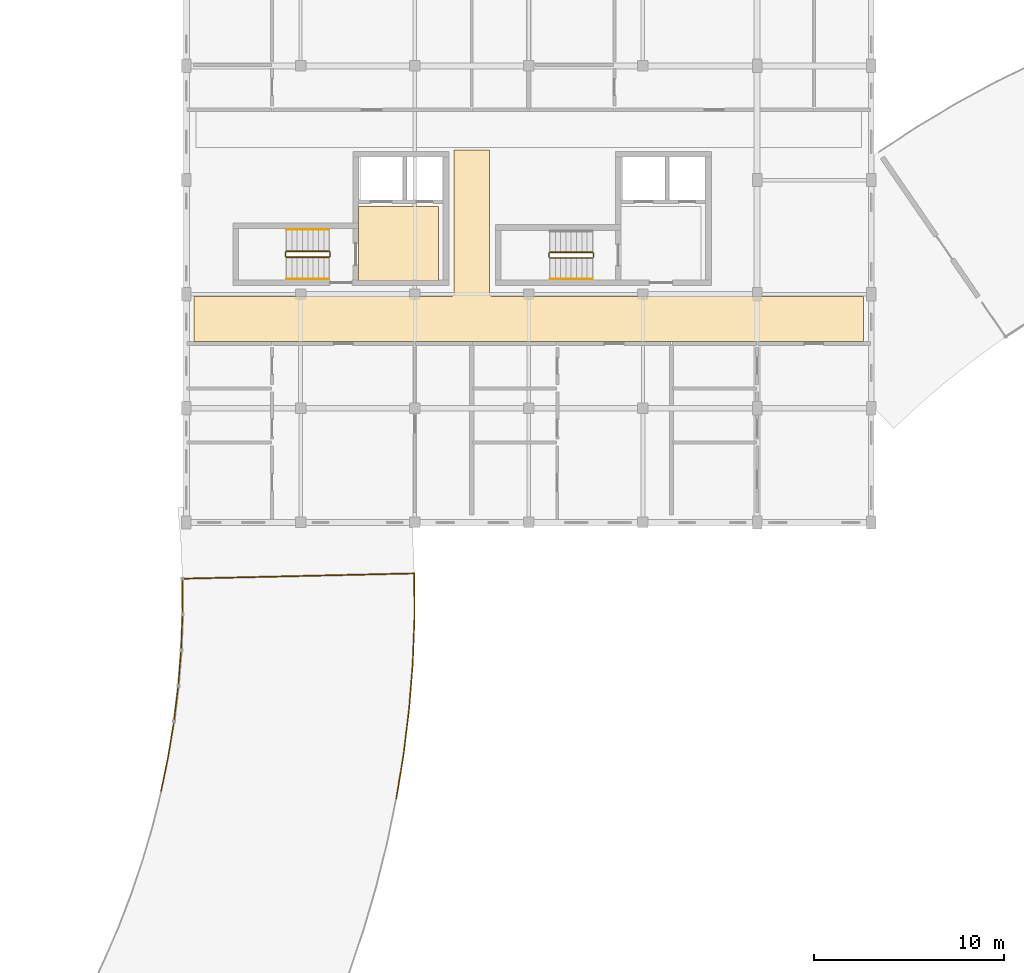
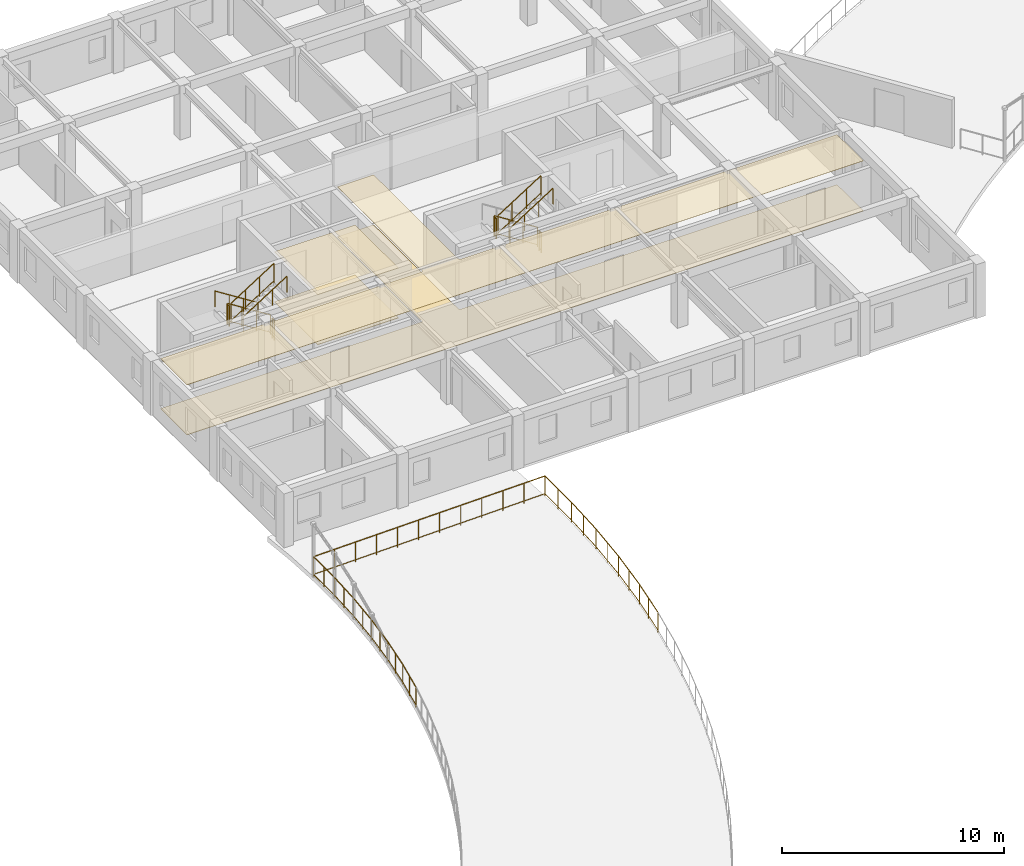
# One storey, part 54 of 58: 23 railings, 4 coverings.
"""IFC4 building model written with IfcOpenShell, lengths in metres."""

from ifc_helpers import new_model, si_unit, direction, frame, origin, origin_2d, place, context, subcontext, project, spatial, polyline, circle, outline, extrude, material, layer, layer_set, type_object, element, save


model = new_model("IFC4")

# Units and contexts
model_context = context("Model", 3, precision=1e-05, world=origin(), true_north=direction((0.0, 1.0)))
body_context = subcontext(model_context, "Body", "Model", "MODEL_VIEW")
ifc_project = project(units=[si_unit("LENGTHUNIT", "METRE"), si_unit("AREAUNIT", "SQUARE_METRE"), si_unit("VOLUMEUNIT", "CUBIC_METRE"), si_unit("PLANEANGLEUNIT", "RADIAN"), si_unit("MASSUNIT", "GRAM", prefix="KILO"), si_unit("POWERUNIT", "WATT"), si_unit("THERMODYNAMICTEMPERATUREUNIT", "KELVIN")], contexts=[model_context])

# Site, building, storey
site_placement = place(None, origin())
site = spatial("IfcSite", under=ifc_project, at=site_placement, CompositionType="ELEMENT")
building_placement = place(site_placement, origin())
building = spatial("IfcBuilding", under=site, at=building_placement, Name="Ruvembo Vaulted Housing Court", CompositionType="ELEMENT")
storey_placement = place(building_placement, frame((0.0, 0.0, 20.5)))
storey = spatial("IfcBuildingStorey", under=building, at=storey_placement, Name="L06", CompositionType="ELEMENT", Elevation=20.5)

# Coverings
ifc_material_1 = material(Name="Perforated Mineral-Fibre Acoustic Tile", Category="gypsum")
ifc_layer_1 = layer(ifc_material_1, 0.02001953125, Name="Perforated Mineral-Fibre Acoustic Tile")
ifc_layer_set_1 = layer_set([ifc_layer_1], Name="Perforated Mineral-Fibre Acoustic Tile")
covering_type_1 = type_object("IfcCoveringType", Name="COV-CEIL-ACOUST", PredefinedType="CEILING", material=ifc_layer_set_1)
covering_1_placement = place(storey_placement, frame((0.0, 0.0, 2.75)))
element("IfcCovering", 1, at=covering_1_placement, inside=storey, type_object=covering_type_1, Name="Protected Core Lobby B1 Ceiling", PredefinedType="CEILING", context=body_context, shape_type="SweptSolid", body=[
    extrude(outline(polyline([(61.25, 94.60009765625), (57.050048828125, 94.60009765625), (57.050048828125, 90.699951171875), (61.25, 90.699951171875), (61.25, 94.60009765625)])), origin(), (0.0, 0.0, 1.0), 0.02001953125),
])
covering_2_placement = place(storey_placement, frame((0.0, 0.0, 2.75)))
element("IfcCovering", 2, at=covering_2_placement, inside=storey, type_object=covering_type_1, Name="Block B L06 Corridor Ceiling", PredefinedType="CEILING", context=body_context, shape_type="SweptSolid", body=[
    extrude(outline(polyline([(83.590087890625, 87.510009765625), (83.590087890625, 89.889892578125), (64.050048828125, 89.889892578125), (64.039306640625, 89.890380859375), (64.028564453125, 89.89208984375), (64.01806640625, 89.894775390625), (64.0078125, 89.8984375), (63.998046875, 89.903076171875), (63.989013671875, 89.908447265625), (63.980224609375, 89.9150390625), (63.97216796875, 89.922119140625), (63.965087890625, 89.93017578125), (63.95849609375, 89.93896484375), (63.952880859375, 89.947998046875), (63.948486328125, 89.9580078125), (63.944580078125, 89.968017578125), (63.942138671875, 89.978515625), (63.9404296875, 89.9892578125), (63.93994140625, 90.0), (63.93994140625, 97.590087890625), (62.06005859375, 97.590087890625), (62.06005859375, 90.0), (62.0595703125, 89.9892578125), (62.057861328125, 89.978515625), (62.055419921875, 89.968017578125), (62.051513671875, 89.9580078125), (62.047119140625, 89.947998046875), (62.04150390625, 89.93896484375), (62.034912109375, 89.93017578125), (62.02783203125, 89.922119140625), (62.019775390625, 89.9150390625), (62.010986328125, 89.908447265625), (62.001953125, 89.903076171875), (61.9921875, 89.8984375), (61.98193359375, 89.894775390625), (61.971435546875, 89.89208984375), (61.960693359375, 89.890380859375), (61.949951171875, 89.889892578125), (48.409912109375, 89.889892578125), (48.409912109375, 87.510009765625), (83.590087890625, 87.510009765625)])), origin(), (0.0, 0.0, 1.0), 0.02001953125),
])
ifc_material_2 = material(Name="Polished Cement-Aggregate Terrazzo", Category="stone")
ifc_layer_2 = layer(ifc_material_2, 0.02197265625, Name="Polished Cement-Aggregate Terrazzo")
ifc_layer_set_2 = layer_set([ifc_layer_2], Name="Polished Cement-Aggregate Terrazzo")
covering_type_2 = type_object("IfcCoveringType", Name="COV-FLR-CERAMIC", PredefinedType="FLOORING", material=ifc_layer_set_2)
covering_3_placement = place(storey_placement, origin())
element("IfcCovering", 3, at=covering_3_placement, inside=storey, type_object=covering_type_2, Name="Protected Core Lobby B1 Flooring", PredefinedType="FLOORING", context=body_context, shape_type="SweptSolid", body=[
    extrude(outline(polyline([(61.25, 94.60009765625), (57.050048828125, 94.60009765625), (57.050048828125, 90.699951171875), (61.25, 90.699951171875), (61.25, 94.60009765625)])), origin(), (0.0, 0.0, 1.0), 0.02197265625),
])
covering_4_placement = place(storey_placement, origin())
element("IfcCovering", 4, at=covering_4_placement, inside=storey, type_object=covering_type_2, Name="Block B L06 Corridor Flooring", PredefinedType="FLOORING", context=body_context, shape_type="SweptSolid", body=[
    extrude(outline(polyline([(83.590087890625, 87.510009765625), (83.590087890625, 89.889892578125), (64.050048828125, 89.889892578125), (64.039306640625, 89.890380859375), (64.028564453125, 89.89208984375), (64.01806640625, 89.894775390625), (64.0078125, 89.8984375), (63.998046875, 89.903076171875), (63.989013671875, 89.908447265625), (63.980224609375, 89.9150390625), (63.97216796875, 89.922119140625), (63.965087890625, 89.93017578125), (63.95849609375, 89.93896484375), (63.952880859375, 89.947998046875), (63.948486328125, 89.9580078125), (63.944580078125, 89.968017578125), (63.942138671875, 89.978515625), (63.9404296875, 89.9892578125), (63.93994140625, 90.0), (63.93994140625, 97.590087890625), (62.06005859375, 97.590087890625), (62.06005859375, 90.0), (62.0595703125, 89.9892578125), (62.057861328125, 89.978515625), (62.055419921875, 89.968017578125), (62.051513671875, 89.9580078125), (62.047119140625, 89.947998046875), (62.04150390625, 89.93896484375), (62.034912109375, 89.93017578125), (62.02783203125, 89.922119140625), (62.019775390625, 89.9150390625), (62.010986328125, 89.908447265625), (62.001953125, 89.903076171875), (61.9921875, 89.8984375), (61.98193359375, 89.894775390625), (61.971435546875, 89.89208984375), (61.960693359375, 89.890380859375), (61.949951171875, 89.889892578125), (48.409912109375, 89.889892578125), (48.409912109375, 87.510009765625), (83.590087890625, 87.510009765625)])), origin(), (0.0, 0.0, 1.0), 0.02197265625),
])

# Railings
ifc_material_3 = material(Name="Galvanised Painted Steel and Laminated Glass", Category="steel")
ifc_layer_3 = layer(ifc_material_3, 0.070068359375, Name="Galvanised Painted Steel and Laminated Glass")
ifc_layer_set_3 = layer_set([ifc_layer_3], Name="Galvanised Painted Steel and Laminated Glass")
railing_type_1 = type_object("IfcRailingType", Name="RL-BALUST-1120", PredefinedType="BALUSTRADE", material=ifc_layer_set_3)
railing_1_placement = place(storey_placement, frame((46.664794921875, 63.86669921875, 0.0)))
element("IfcRailing", 5, at=railing_1_placement, inside=storey, type_object=railing_type_1, Name="L06 Perimeter Guard RL-EXT-L06-0210", PredefinedType="BALUSTRADE", context=body_context, shape_type="SweptSolid", body=[
    extrude(circle(Radius=0.02392578125, at=origin_2d()), frame((0.0, 0.0, 1.09619140625), z_axis=(0.20126745828, 0.979536324103, 0.0), x_axis=(-0.979536324103, 0.20126745828, 0.0)), (0.0, 0.0, 1.0), 1.87646484375),
    extrude(circle(Radius=0.01806640625, at=origin_2d()), frame((0.0, 0.0, 0.1201171875), z_axis=(0.20126745828, 0.979536324103, 0.0), x_axis=(-0.979536324103, 0.20126745828, 0.0)), (0.0, 0.0, 1.0), 1.87646484375),
    extrude(circle(Radius=0.02099609375, at=origin_2d()), origin(), (0.0, 0.0, 1.0), 1.072021484375),
    extrude(circle(Radius=0.02099609375, at=origin_2d()), frame((0.18896484375, 0.9189453125, 0.0)), (0.0, 0.0, 1.0), 1.072021484375),
    extrude(circle(Radius=0.02099609375, at=origin_2d()), frame((0.377685546875, 1.838134765625, 0.0)), (0.0, 0.0, 1.0), 1.072021484375),
])
railing_2_placement = place(storey_placement, frame((47.04248046875, 65.704833984375, 0.0)))
element("IfcRailing", 6, at=railing_2_placement, inside=storey, type_object=railing_type_1, Name="L06 Perimeter Guard RL-EXT-L06-0211", PredefinedType="BALUSTRADE", context=body_context, shape_type="SweptSolid", body=[
    extrude(circle(Radius=0.02392578125, at=origin_2d()), frame((0.0, 0.0, 1.09619140625), z_axis=(0.16093792822, 0.98696452989, 0.0), x_axis=(-0.98696452989, 0.16093792822, 0.0)), (0.0, 0.0, 1.0), 1.87646484375),
    extrude(circle(Radius=0.01806640625, at=origin_2d()), frame((0.0, 0.0, 0.1201171875), z_axis=(0.16093792822, 0.98696452989, 0.0), x_axis=(-0.98696452989, 0.16093792822, 0.0)), (0.0, 0.0, 1.0), 1.87646484375),
    extrude(circle(Radius=0.02099609375, at=origin_2d()), origin(), (0.0, 0.0, 1.0), 1.072021484375),
    extrude(circle(Radius=0.02099609375, at=origin_2d()), frame((0.15087890625, 0.926025390625, 0.0)), (0.0, 0.0, 1.0), 1.072021484375),
    extrude(circle(Radius=0.02099609375, at=origin_2d()), frame((0.302001953125, 1.85205078125, 0.0)), (0.0, 0.0, 1.0), 1.072021484375),
])
railing_3_placement = place(storey_placement, frame((47.344482421875, 67.556884765625, 0.0)))
element("IfcRailing", 7, at=railing_3_placement, inside=storey, type_object=railing_type_1, Name="L06 Perimeter Guard RL-EXT-L06-0212", PredefinedType="BALUSTRADE", context=body_context, shape_type="SweptSolid", body=[
    extrude(circle(Radius=0.02392578125, at=origin_2d()), frame((0.0, 0.0, 1.09619140625), z_axis=(0.120335252624, 0.992733311104, 0.0), x_axis=(-0.992733311104, 0.120335252624, 0.0)), (0.0, 0.0, 1.0), 1.876708984375),
    extrude(circle(Radius=0.01806640625, at=origin_2d()), frame((0.0, 0.0, 0.1201171875), z_axis=(0.120335252624, 0.992733311104, 0.0), x_axis=(-0.992733311104, 0.120335252624, 0.0)), (0.0, 0.0, 1.0), 1.876708984375),
    extrude(circle(Radius=0.02099609375, at=origin_2d()), origin(), (0.0, 0.0, 1.0), 1.072021484375),
    extrude(circle(Radius=0.02099609375, at=origin_2d()), frame((0.11279296875, 0.931640625, 0.0)), (0.0, 0.0, 1.0), 1.072021484375),
    extrude(circle(Radius=0.02099609375, at=origin_2d()), frame((0.225830078125, 1.863037109375, 0.0)), (0.0, 0.0, 1.0), 1.072021484375),
])
railing_4_placement = place(storey_placement, frame((47.5703125, 69.419921875, 0.0)))
element("IfcRailing", 8, at=railing_4_placement, inside=storey, type_object=railing_type_1, Name="L06 Perimeter Guard RL-EXT-L06-0213", PredefinedType="BALUSTRADE", context=body_context, shape_type="SweptSolid", body=[
    extrude(circle(Radius=0.02392578125, at=origin_2d()), frame((0.0, 0.0, 1.09619140625), z_axis=(0.079610795565, 0.996826023552, 0.0), x_axis=(-0.996826023552, 0.079610795565, 0.0)), (0.0, 0.0, 1.0), 1.876708984375),
    extrude(circle(Radius=0.01806640625, at=origin_2d()), frame((0.0, 0.0, 0.1201171875), z_axis=(0.079610795565, 0.996826023552, 0.0), x_axis=(-0.996826023552, 0.079610795565, 0.0)), (0.0, 0.0, 1.0), 1.876708984375),
    extrude(circle(Radius=0.02099609375, at=origin_2d()), origin(), (0.0, 0.0, 1.0), 1.072021484375),
    extrude(circle(Radius=0.02099609375, at=origin_2d()), frame((0.07470703125, 0.935546875, 0.0)), (0.0, 0.0, 1.0), 1.072021484375),
    extrude(circle(Radius=0.02099609375, at=origin_2d()), frame((0.1494140625, 1.870849609375, 0.0)), (0.0, 0.0, 1.0), 1.072021484375),
])
railing_5_placement = place(storey_placement, frame((47.7197265625, 71.290771484375, 0.0)))
element("IfcRailing", 9, at=railing_5_placement, inside=storey, type_object=railing_type_1, Name="L06 Perimeter Guard RL-EXT-L06-0214", PredefinedType="BALUSTRADE", context=body_context, shape_type="SweptSolid", body=[
    extrude(circle(Radius=0.02392578125, at=origin_2d()), frame((0.0, 0.0, 1.09619140625), z_axis=(0.038767865725, 0.999248243725, 0.0), x_axis=(-0.999248243725, 0.038767865725, 0.0)), (0.0, 0.0, 1.0), 1.876708984375),
    extrude(circle(Radius=0.01806640625, at=origin_2d()), frame((0.0, 0.0, 0.1201171875), z_axis=(0.038767865725, 0.999248243725, 0.0), x_axis=(-0.999248243725, 0.038767865725, 0.0)), (0.0, 0.0, 1.0), 1.876708984375),
    extrude(circle(Radius=0.02099609375, at=origin_2d()), origin(), (0.0, 0.0, 1.0), 1.072021484375),
    extrude(circle(Radius=0.02099609375, at=origin_2d()), frame((0.036376953125, 0.9375, 0.0)), (0.0, 0.0, 1.0), 1.072021484375),
    extrude(circle(Radius=0.02099609375, at=origin_2d()), frame((0.07275390625, 1.875244140625, 0.0)), (0.0, 0.0, 1.0), 1.072021484375),
])
railing_6_placement = place(storey_placement, frame((47.79248046875, 73.166015625, 0.0)))
element("IfcRailing", 10, at=railing_6_placement, inside=storey, type_object=railing_type_1, Name="L06 Perimeter Guard RL-EXT-L06-0215", PredefinedType="BALUSTRADE", context=body_context, shape_type="SweptSolid", body=[
    extrude(circle(Radius=0.02392578125, at=origin_2d()), frame((0.0, 0.0, 1.09619140625), z_axis=(-0.002341913952, 0.999997257716, 0.0), x_axis=(-0.999997257716, -0.002341913952, 0.0)), (0.0, 0.0, 1.0), 1.87646484375),
    extrude(circle(Radius=0.01806640625, at=origin_2d()), frame((0.0, 0.0, 0.1201171875), z_axis=(-0.002341913952, 0.999997257716, 0.0), x_axis=(-0.999997257716, -0.002341913952, 0.0)), (0.0, 0.0, 1.0), 1.87646484375),
    extrude(circle(Radius=0.02099609375, at=origin_2d()), origin(), (0.0, 0.0, 1.0), 1.072021484375),
    extrude(circle(Radius=0.02099609375, at=origin_2d()), frame((-0.002197265625, 0.938232421875, 0.0)), (0.0, 0.0, 1.0), 1.072021484375),
    extrude(circle(Radius=0.02099609375, at=origin_2d()), frame((-0.00439453125, 1.87646484375, 0.0)), (0.0, 0.0, 1.0), 1.072021484375),
])
railing_7_placement = place(storey_placement, frame((47.7880859375, 75.04248046875, 0.0)))
element("IfcRailing", 11, at=railing_7_placement, inside=storey, type_object=railing_type_1, Name="L06 Perimeter Guard RL-EXT-L06-0216", PredefinedType="BALUSTRADE", context=body_context, shape_type="SweptSolid", body=[
    extrude(circle(Radius=0.02392578125, at=origin_2d()), frame((0.0, 0.0, 1.09619140625), z_axis=(0.999740666818, 0.022772771249, 0.0), x_axis=(-0.022772771249, 0.999740666818, 0.0)), (0.0, 0.0, 1.0), 12.2001953125),
    extrude(circle(Radius=0.01806640625, at=origin_2d()), frame((0.0, 0.0, 0.1201171875), z_axis=(0.999740666818, 0.022772771249, 0.0), x_axis=(-0.022772771249, 0.999740666818, 0.0)), (0.0, 0.0, 1.0), 12.2001953125),
    extrude(circle(Radius=0.02099609375, at=origin_2d()), origin(), (0.0, 0.0, 1.0), 1.072021484375),
    extrude(circle(Radius=0.02099609375, at=origin_2d()), frame((1.10888671875, 0.025146484375, 0.0)), (0.0, 0.0, 1.0), 1.072021484375),
    extrude(circle(Radius=0.02099609375, at=origin_2d()), frame((2.217529296875, 0.050537109375, 0.0)), (0.0, 0.0, 1.0), 1.072021484375),
    extrude(circle(Radius=0.02099609375, at=origin_2d()), frame((3.326416015625, 0.07568359375, 0.0)), (0.0, 0.0, 1.0), 1.072021484375),
    extrude(circle(Radius=0.02099609375, at=origin_2d()), frame((4.435302734375, 0.10107421875, 0.0)), (0.0, 0.0, 1.0), 1.072021484375),
    extrude(circle(Radius=0.02099609375, at=origin_2d()), frame((5.544189453125, 0.126220703125, 0.0)), (0.0, 0.0, 1.0), 1.072021484375),
    extrude(circle(Radius=0.02099609375, at=origin_2d()), frame((6.65283203125, 0.151611328125, 0.0)), (0.0, 0.0, 1.0), 1.072021484375),
    extrude(circle(Radius=0.02099609375, at=origin_2d()), frame((7.76171875, 0.1767578125, 0.0)), (0.0, 0.0, 1.0), 1.072021484375),
    extrude(circle(Radius=0.02099609375, at=origin_2d()), frame((8.87060546875, 0.2021484375, 0.0)), (0.0, 0.0, 1.0), 1.072021484375),
    extrude(circle(Radius=0.02099609375, at=origin_2d()), frame((9.9794921875, 0.227294921875, 0.0)), (0.0, 0.0, 1.0), 1.072021484375),
    extrude(circle(Radius=0.02099609375, at=origin_2d()), frame((11.088134765625, 0.252685546875, 0.0)), (0.0, 0.0, 1.0), 1.072021484375),
    extrude(circle(Radius=0.02099609375, at=origin_2d()), frame((12.197021484375, 0.27783203125, 0.0)), (0.0, 0.0, 1.0), 1.072021484375),
])
railing_8_placement = place(storey_placement, frame((59.985107421875, 75.3203125, 0.0)))
element("IfcRailing", 12, at=railing_8_placement, inside=storey, type_object=railing_type_1, Name="L06 Perimeter Guard RL-EXT-L06-0217", PredefinedType="BALUSTRADE", context=body_context, shape_type="SweptSolid", body=[
    extrude(circle(Radius=0.02392578125, at=origin_2d()), frame((0.0, 0.0, 1.09619140625), z_axis=(0.002260113397, -0.99999744594, 0.0), x_axis=(0.99999744594, 0.002260113397, 0.0)), (0.0, 0.0, 1.0), 2.37646484375),
    extrude(circle(Radius=0.01806640625, at=origin_2d()), frame((0.0, 0.0, 0.1201171875), z_axis=(0.002260113397, -0.99999744594, 0.0), x_axis=(0.99999744594, 0.002260113397, 0.0)), (0.0, 0.0, 1.0), 2.37646484375),
    extrude(circle(Radius=0.02099609375, at=origin_2d()), origin(), (0.0, 0.0, 1.0), 1.072021484375),
    extrude(circle(Radius=0.02099609375, at=origin_2d()), frame((0.002685546875, -1.188232421875, 0.0)), (0.0, 0.0, 1.0), 1.072021484375),
    extrude(circle(Radius=0.02099609375, at=origin_2d()), frame((0.00537109375, -2.37646484375, 0.0)), (0.0, 0.0, 1.0), 1.072021484375),
])
railing_9_placement = place(storey_placement, frame((59.990478515625, 72.94384765625, 0.0)))
element("IfcRailing", 13, at=railing_9_placement, inside=storey, type_object=railing_type_1, Name="L06 Perimeter Guard RL-EXT-L06-0218", PredefinedType="BALUSTRADE", context=body_context, shape_type="SweptSolid", body=[
    extrude(circle(Radius=0.02392578125, at=origin_2d()), frame((0.0, 0.0, 1.09619140625), z_axis=(-0.038729017766, -0.999249750154, 0.0), x_axis=(0.999249750154, -0.038729017766, 0.0)), (0.0, 0.0, 1.0), 2.37646484375),
    extrude(circle(Radius=0.01806640625, at=origin_2d()), frame((0.0, 0.0, 0.1201171875), z_axis=(-0.038729017766, -0.999249750154, 0.0), x_axis=(0.999249750154, -0.038729017766, 0.0)), (0.0, 0.0, 1.0), 2.37646484375),
    extrude(circle(Radius=0.02099609375, at=origin_2d()), origin(), (0.0, 0.0, 1.0), 1.072021484375),
    extrude(circle(Radius=0.02099609375, at=origin_2d()), frame((-0.0458984375, -1.1875, 0.0)), (0.0, 0.0, 1.0), 1.072021484375),
    extrude(circle(Radius=0.02099609375, at=origin_2d()), frame((-0.092041015625, -2.374755859375, 0.0)), (0.0, 0.0, 1.0), 1.072021484375),
])
railing_10_placement = place(storey_placement, frame((59.8984375, 70.569091796875, 0.0)))
element("IfcRailing", 14, at=railing_10_placement, inside=storey, type_object=railing_type_1, Name="L06 Perimeter Guard RL-EXT-L06-0219", PredefinedType="BALUSTRADE", context=body_context, shape_type="SweptSolid", body=[
    extrude(circle(Radius=0.02392578125, at=origin_2d()), frame((0.0, 0.0, 1.09619140625), z_axis=(-0.079610489202, -0.996826048019, 0.0), x_axis=(0.996826048019, -0.079610489202, 0.0)), (0.0, 0.0, 1.0), 2.376708984375),
    extrude(circle(Radius=0.01806640625, at=origin_2d()), frame((0.0, 0.0, 0.1201171875), z_axis=(-0.079610489202, -0.996826048019, 0.0), x_axis=(0.996826048019, -0.079610489202, 0.0)), (0.0, 0.0, 1.0), 2.376708984375),
    extrude(circle(Radius=0.02099609375, at=origin_2d()), origin(), (0.0, 0.0, 1.0), 1.072021484375),
    extrude(circle(Radius=0.02099609375, at=origin_2d()), frame((-0.0947265625, -1.1845703125, 0.0)), (0.0, 0.0, 1.0), 1.072021484375),
    extrude(circle(Radius=0.02099609375, at=origin_2d()), frame((-0.189208984375, -2.369140625, 0.0)), (0.0, 0.0, 1.0), 1.072021484375),
])
railing_11_placement = place(storey_placement, frame((59.709228515625, 68.199951171875, 0.0)))
element("IfcRailing", 15, at=railing_11_placement, inside=storey, type_object=railing_type_1, Name="L06 Perimeter Guard RL-EXT-L06-0220", PredefinedType="BALUSTRADE", context=body_context, shape_type="SweptSolid", body=[
    extrude(circle(Radius=0.02392578125, at=origin_2d()), frame((0.0, 0.0, 1.09619140625), z_axis=(-0.12040500143, -0.99272485394, 0.0), x_axis=(0.99272485394, -0.12040500143, 0.0)), (0.0, 0.0, 1.0), 2.37646484375),
    extrude(circle(Radius=0.01806640625, at=origin_2d()), frame((0.0, 0.0, 0.1201171875), z_axis=(-0.12040500143, -0.99272485394, 0.0), x_axis=(0.99272485394, -0.12040500143, 0.0)), (0.0, 0.0, 1.0), 2.37646484375),
    extrude(circle(Radius=0.02099609375, at=origin_2d()), origin(), (0.0, 0.0, 1.0), 1.072021484375),
    extrude(circle(Radius=0.02099609375, at=origin_2d()), frame((-0.14306640625, -1.1796875, 0.0)), (0.0, 0.0, 1.0), 1.072021484375),
    extrude(circle(Radius=0.02099609375, at=origin_2d()), frame((-0.2861328125, -2.359130859375, 0.0)), (0.0, 0.0, 1.0), 1.072021484375),
])
railing_12_placement = place(storey_placement, frame((59.423095703125, 65.8408203125, 0.0)))
element("IfcRailing", 16, at=railing_12_placement, inside=storey, type_object=railing_type_1, Name="L06 Perimeter Guard RL-EXT-L06-0221", PredefinedType="BALUSTRADE", context=body_context, shape_type="SweptSolid", body=[
    extrude(circle(Radius=0.02392578125, at=origin_2d()), frame((0.0, 0.0, 1.09619140625), z_axis=(-0.160882746172, -0.986973526486, 0.0), x_axis=(0.986973526486, -0.160882746172, 0.0)), (0.0, 0.0, 1.0), 2.37646484375),
    extrude(circle(Radius=0.01806640625, at=origin_2d()), frame((0.0, 0.0, 0.1201171875), z_axis=(-0.160882746172, -0.986973526486, 0.0), x_axis=(0.986973526486, -0.160882746172, 0.0)), (0.0, 0.0, 1.0), 2.37646484375),
    extrude(circle(Radius=0.02099609375, at=origin_2d()), origin(), (0.0, 0.0, 1.0), 1.072021484375),
    extrude(circle(Radius=0.02099609375, at=origin_2d()), frame((-0.191162109375, -1.1728515625, 0.0)), (0.0, 0.0, 1.0), 1.072021484375),
    extrude(circle(Radius=0.02099609375, at=origin_2d()), frame((-0.38232421875, -2.345458984375, 0.0)), (0.0, 0.0, 1.0), 1.072021484375),
])
ifc_material_4 = material(Name="Painted Galvanised Steel S275", Category="steel")
ifc_layer_4 = layer(ifc_material_4, 0.06005859375, Name="Painted Galvanised Steel S275")
ifc_layer_set_4 = layer_set([ifc_layer_4], Name="Painted Galvanised Steel S275")
railing_type_2 = type_object("IfcRailingType", Name="RL-STAIR-GR1100", PredefinedType="GUARDRAIL", material=ifc_layer_set_4)
railing_13_placement = place(storey_placement, frame((55.5, 92.25, 0.177734375)))
element("IfcRailing", 17, at=railing_13_placement, inside=storey, type_object=railing_type_2, Name="L06 ST-B1 stair guard 1", PredefinedType="GUARDRAIL", context=body_context, shape_type="SweptSolid", body=[
    extrude(circle(Radius=0.02392578125, at=origin_2d()), frame((0.0, 0.0, 1.076171875), z_axis=(-0.84418770128, 0.0, 0.536047689118), x_axis=(0.0, -1.0, 0.0)), (0.0, 0.0, 1.0), 2.6533203125),
    extrude(circle(Radius=0.01806640625, at=origin_2d()), frame((0.0, 0.0, 0.1201171875), z_axis=(-0.84418770128, 0.0, 0.536047689118), x_axis=(0.0, -1.0, 0.0)), (0.0, 0.0, 1.0), 2.6533203125),
    extrude(circle(Radius=0.02099609375, at=origin_2d()), origin(), (0.0, 0.0, 1.0), 1.052001953125),
    extrude(circle(Radius=0.02099609375, at=origin_2d()), frame((-0.74658203125, 0.0, 0.47412109375)), (0.0, 0.0, 1.0), 1.052001953125),
    extrude(circle(Radius=0.02099609375, at=origin_2d()), frame((-1.493408203125, 0.0, 0.9482421875)), (0.0, 0.0, 1.0), 1.052001953125),
    extrude(circle(Radius=0.02099609375, at=origin_2d()), frame((-2.239990234375, 0.0, 1.42236328125)), (0.0, 0.0, 1.0), 1.052001953125),
])
railing_14_placement = place(storey_placement, frame((53.2099609375, 92.199951171875, 1.60009765625)))
element("IfcRailing", 18, at=railing_14_placement, inside=storey, type_object=railing_type_2, Name="L06 ST-B1 stair guard 2", PredefinedType="GUARDRAIL", context=body_context, shape_type="SweptSolid", body=[
    extrude(circle(Radius=0.02392578125, at=origin_2d()), frame((0.0, 0.0, 1.076171875), z_axis=(0.0, -1.0, 0.0), x_axis=(1.0, 0.0, 0.0)), (0.0, 0.0, 1.0), 0.199951171875),
    extrude(circle(Radius=0.01806640625, at=origin_2d()), frame((0.0, 0.0, 0.1201171875), z_axis=(0.0, -1.0, 0.0), x_axis=(1.0, 0.0, 0.0)), (0.0, 0.0, 1.0), 0.199951171875),
    extrude(circle(Radius=0.02099609375, at=origin_2d()), origin(), (0.0, 0.0, 1.0), 1.052001953125),
    extrude(circle(Radius=0.02099609375, at=origin_2d()), frame((0.0, -0.199951171875, 0.0)), (0.0, 0.0, 1.0), 1.052001953125),
])
railing_15_placement = place(storey_placement, frame((53.260009765625, 91.949951171875, 1.77783203125)))
element("IfcRailing", 19, at=railing_15_placement, inside=storey, type_object=railing_type_2, Name="L06 ST-B1 stair guard 3", PredefinedType="GUARDRAIL", context=body_context, shape_type="SweptSolid", body=[
    extrude(circle(Radius=0.02392578125, at=origin_2d()), frame((0.0, 0.0, 1.076171875), z_axis=(0.8442293374, 0.0, 0.53598211339), x_axis=(0.0, 1.0, 0.0)), (0.0, 0.0, 1.0), 2.6533203125),
    extrude(circle(Radius=0.01806640625, at=origin_2d()), frame((0.0, 0.0, 0.1201171875), z_axis=(0.8442293374, 0.0, 0.53598211339), x_axis=(0.0, 1.0, 0.0)), (0.0, 0.0, 1.0), 2.6533203125),
    extrude(circle(Radius=0.02099609375, at=origin_2d()), origin(), (0.0, 0.0, 1.0), 1.052001953125),
    extrude(circle(Radius=0.02099609375, at=origin_2d()), frame((0.74658203125, 0.0, 0.47412109375)), (0.0, 0.0, 1.0), 1.052001953125),
    extrude(circle(Radius=0.02099609375, at=origin_2d()), frame((1.493408203125, 0.0, 0.947998046875)), (0.0, 0.0, 1.0), 1.052001953125),
    extrude(circle(Radius=0.02099609375, at=origin_2d()), frame((2.239990234375, 0.0, 1.422119140625)), (0.0, 0.0, 1.0), 1.052001953125),
])
railing_16_placement = place(storey_placement, frame((55.550048828125, 92.199951171875, 0.0)))
element("IfcRailing", 20, at=railing_16_placement, inside=storey, type_object=railing_type_2, Name="L06 ST-B1 stair guard 4", PredefinedType="GUARDRAIL", context=body_context, shape_type="SweptSolid", body=[
    extrude(circle(Radius=0.02392578125, at=origin_2d()), frame((0.0, 0.0, 1.076171875), z_axis=(0.0, -1.0, 0.0), x_axis=(1.0, 0.0, 0.0)), (0.0, 0.0, 1.0), 0.199951171875),
    extrude(circle(Radius=0.01806640625, at=origin_2d()), frame((0.0, 0.0, 0.1201171875), z_axis=(0.0, -1.0, 0.0), x_axis=(1.0, 0.0, 0.0)), (0.0, 0.0, 1.0), 0.199951171875),
    extrude(circle(Radius=0.02099609375, at=origin_2d()), origin(), (0.0, 0.0, 1.0), 1.052001953125),
    extrude(circle(Radius=0.02099609375, at=origin_2d()), frame((0.0, -0.199951171875, 0.0)), (0.0, 0.0, 1.0), 1.052001953125),
])
railing_17_placement = place(storey_placement, frame((69.35009765625, 92.199951171875, 0.177734375)))
element("IfcRailing", 21, at=railing_17_placement, inside=storey, type_object=railing_type_2, Name="L06 ST-B2 stair guard 1", PredefinedType="GUARDRAIL", context=body_context, shape_type="SweptSolid", body=[
    extrude(circle(Radius=0.02392578125, at=origin_2d()), frame((0.0, 0.0, 1.076171875), z_axis=(-0.84418770128, 0.0, 0.536047689118), x_axis=(0.0, -1.0, 0.0)), (0.0, 0.0, 1.0), 2.6533203125),
    extrude(circle(Radius=0.01806640625, at=origin_2d()), frame((0.0, 0.0, 0.1201171875), z_axis=(-0.84418770128, 0.0, 0.536047689118), x_axis=(0.0, -1.0, 0.0)), (0.0, 0.0, 1.0), 2.6533203125),
    extrude(circle(Radius=0.02099609375, at=origin_2d()), origin(), (0.0, 0.0, 1.0), 1.052001953125),
    extrude(circle(Radius=0.02099609375, at=origin_2d()), frame((-0.74658203125, 0.0, 0.47412109375)), (0.0, 0.0, 1.0), 1.052001953125),
    extrude(circle(Radius=0.02099609375, at=origin_2d()), frame((-1.493408203125, 0.0, 0.9482421875)), (0.0, 0.0, 1.0), 1.052001953125),
    extrude(circle(Radius=0.02099609375, at=origin_2d()), frame((-2.239990234375, 0.0, 1.42236328125)), (0.0, 0.0, 1.0), 1.052001953125),
])
railing_18_placement = place(storey_placement, frame((67.06005859375, 92.14990234375, 1.60009765625)))
element("IfcRailing", 22, at=railing_18_placement, inside=storey, type_object=railing_type_2, Name="L06 ST-B2 stair guard 2", PredefinedType="GUARDRAIL", context=body_context, shape_type="SweptSolid", body=[
    extrude(circle(Radius=0.02392578125, at=origin_2d()), frame((0.0, 0.0, 1.076171875), z_axis=(0.0, -1.0, 0.0), x_axis=(1.0, 0.0, 0.0)), (0.0, 0.0, 1.0), 0.199951171875),
    extrude(circle(Radius=0.01806640625, at=origin_2d()), frame((0.0, 0.0, 0.1201171875), z_axis=(0.0, -1.0, 0.0), x_axis=(1.0, 0.0, 0.0)), (0.0, 0.0, 1.0), 0.199951171875),
    extrude(circle(Radius=0.02099609375, at=origin_2d()), origin(), (0.0, 0.0, 1.0), 1.052001953125),
    extrude(circle(Radius=0.02099609375, at=origin_2d()), frame((0.0, -0.199951171875, 0.0)), (0.0, 0.0, 1.0), 1.052001953125),
])
railing_19_placement = place(storey_placement, frame((67.110107421875, 91.89990234375, 1.77783203125)))
element("IfcRailing", 23, at=railing_19_placement, inside=storey, type_object=railing_type_2, Name="L06 ST-B2 stair guard 3", PredefinedType="GUARDRAIL", context=body_context, shape_type="SweptSolid", body=[
    extrude(circle(Radius=0.02392578125, at=origin_2d()), frame((0.0, 0.0, 1.076171875), z_axis=(0.8442293374, 0.0, 0.53598211339), x_axis=(0.0, 1.0, 0.0)), (0.0, 0.0, 1.0), 2.6533203125),
    extrude(circle(Radius=0.01806640625, at=origin_2d()), frame((0.0, 0.0, 0.1201171875), z_axis=(0.8442293374, 0.0, 0.53598211339), x_axis=(0.0, 1.0, 0.0)), (0.0, 0.0, 1.0), 2.6533203125),
    extrude(circle(Radius=0.02099609375, at=origin_2d()), origin(), (0.0, 0.0, 1.0), 1.052001953125),
    extrude(circle(Radius=0.02099609375, at=origin_2d()), frame((0.74658203125, 0.0, 0.47412109375)), (0.0, 0.0, 1.0), 1.052001953125),
    extrude(circle(Radius=0.02099609375, at=origin_2d()), frame((1.493408203125, 0.0, 0.947998046875)), (0.0, 0.0, 1.0), 1.052001953125),
    extrude(circle(Radius=0.02099609375, at=origin_2d()), frame((2.239990234375, 0.0, 1.422119140625)), (0.0, 0.0, 1.0), 1.052001953125),
])
railing_20_placement = place(storey_placement, frame((69.39990234375, 92.14990234375, 0.0)))
element("IfcRailing", 24, at=railing_20_placement, inside=storey, type_object=railing_type_2, Name="L06 ST-B2 stair guard 4", PredefinedType="GUARDRAIL", context=body_context, shape_type="SweptSolid", body=[
    extrude(circle(Radius=0.02392578125, at=origin_2d()), frame((0.0, 0.0, 1.076171875), z_axis=(0.0, -1.0, 0.0), x_axis=(1.0, 0.0, 0.0)), (0.0, 0.0, 1.0), 0.199951171875),
    extrude(circle(Radius=0.01806640625, at=origin_2d()), frame((0.0, 0.0, 0.1201171875), z_axis=(0.0, -1.0, 0.0), x_axis=(1.0, 0.0, 0.0)), (0.0, 0.0, 1.0), 0.199951171875),
    extrude(circle(Radius=0.02099609375, at=origin_2d()), origin(), (0.0, 0.0, 1.0), 1.052001953125),
    extrude(circle(Radius=0.02099609375, at=origin_2d()), frame((0.0, -0.199951171875, 0.0)), (0.0, 0.0, 1.0), 1.052001953125),
])
ifc_material_5 = material(Name="Brushed Stainless Steel 304", Category="steel")
ifc_layer_5 = layer(ifc_material_5, 0.050048828125, Name="Brushed Stainless Steel 304")
ifc_layer_set_5 = layer_set([ifc_layer_5], Name="Brushed Stainless Steel 304")
railing_type_3 = type_object("IfcRailingType", Name="RL-STAIR-HR920", PredefinedType="HANDRAIL", material=ifc_layer_set_5)
railing_21_placement = place(storey_placement, frame((55.5, 93.39990234375, 0.359375)))
element("IfcRailing", 25, at=railing_21_placement, inside=storey, type_object=railing_type_3, Name="L06 ST-B1 stair handrail 1", PredefinedType="HANDRAIL", context=body_context, shape_type="SweptSolid", body=[
    extrude(circle(Radius=0.02392578125, at=origin_2d()), frame((0.0, 0.0, 0.8759765625), z_axis=(-0.8442293374, 0.0, 0.53598211339), x_axis=(0.0, -1.0, 0.0)), (0.0, 0.0, 1.0), 2.6533203125),
    extrude(circle(Radius=0.02099609375, at=origin_2d()), origin(), (0.0, 0.0, 1.0), 0.851806640625),
    extrude(circle(Radius=0.02099609375, at=origin_2d()), frame((-0.74658203125, 0.0, 0.47412109375)), (0.0, 0.0, 1.0), 0.851806640625),
    extrude(circle(Radius=0.02099609375, at=origin_2d()), frame((-1.493408203125, 0.0, 0.947998046875)), (0.0, 0.0, 1.0), 0.851806640625),
    extrude(circle(Radius=0.02099609375, at=origin_2d()), frame((-2.239990234375, 0.0, 1.422119140625)), (0.0, 0.0, 1.0), 0.851806640625),
])
for number, where, name in (
    (26, (53.260009765625, 90.800048828125, 1.959228515625), "L06 ST-B1 stair handrail 2"),
    (27, (67.110107421875, 90.800048828125, 1.959228515625), "L06 ST-B2 stair handrail 2"),
):
    element("IfcRailing", number, at=place(storey_placement, frame(where)), inside=storey, type_object=railing_type_3, Name=name, PredefinedType="HANDRAIL", context=body_context, shape_type="SweptSolid", body=[
        extrude(circle(Radius=0.02392578125, at=origin_2d()), frame((0.0, 0.0, 0.8759765625), z_axis=(0.84418770128, 0.0, 0.536047689118), x_axis=(0.0, 1.0, 0.0)), (0.0, 0.0, 1.0), 2.6533203125),
        extrude(circle(Radius=0.02099609375, at=origin_2d()), origin(), (0.0, 0.0, 1.0), 0.851806640625),
        extrude(circle(Radius=0.02099609375, at=origin_2d()), frame((0.74658203125, 0.0, 0.47412109375)), (0.0, 0.0, 1.0), 0.851806640625),
        extrude(circle(Radius=0.02099609375, at=origin_2d()), frame((1.493408203125, 0.0, 0.9482421875)), (0.0, 0.0, 1.0), 0.851806640625),
        extrude(circle(Radius=0.02099609375, at=origin_2d()), frame((2.239990234375, 0.0, 1.42236328125)), (0.0, 0.0, 1.0), 0.851806640625),
    ])

save(model, "model.ifc")
